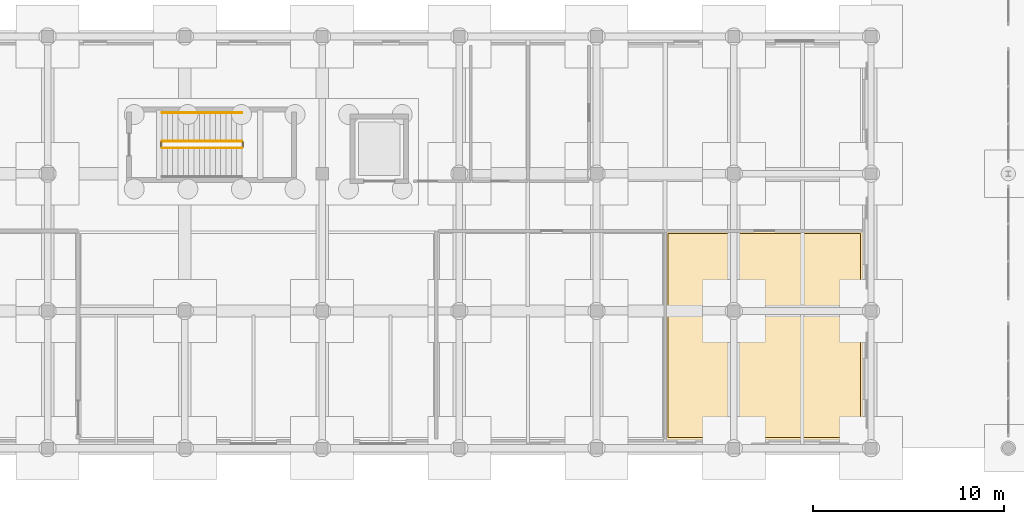
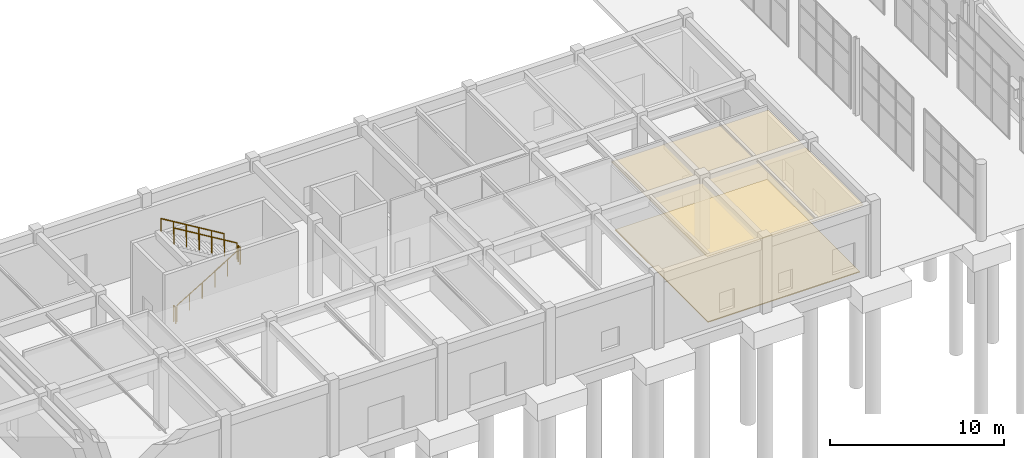
# One storey, part 83 of 91: 5 railings, 2 coverings.
"""IFC4 building model written with IfcOpenShell, lengths in metres."""

from ifc_helpers import new_model, si_unit, direction, frame, origin, origin_2d, place, context, subcontext, project, spatial, polyline, circle, outline, extrude, material, layer, layer_set, type_object, element, save


model = new_model("IFC4")

# Units and contexts
model_context = context("Model", 3, precision=1e-05, world=origin(), true_north=direction((0.0, 1.0)))
body_context = subcontext(model_context, "Body", "Model", "MODEL_VIEW")
ifc_project = project(units=[si_unit("LENGTHUNIT", "METRE"), si_unit("AREAUNIT", "SQUARE_METRE"), si_unit("VOLUMEUNIT", "CUBIC_METRE"), si_unit("PLANEANGLEUNIT", "RADIAN"), si_unit("MASSUNIT", "GRAM", prefix="KILO")], contexts=[model_context])

# Site, building, storey
site_placement = place(None, origin())
site = spatial("IfcSite", under=ifc_project, at=site_placement, CompositionType="ELEMENT")
building_placement = place(site_placement, origin())
building = spatial("IfcBuilding", under=site, at=building_placement, Name="Bramveld Media Centre", CompositionType="ELEMENT")
storey_placement = place(building_placement, origin())
storey = spatial("IfcBuildingStorey", under=building, at=storey_placement, Name="L00", CompositionType="ELEMENT", Elevation=0.0)

# Coverings
ifc_material_1 = material(Name="Perforated acoustic mineral-fibre & oak-slat suspended ceiling")
ifc_layer_1 = layer(ifc_material_1, 0.044921875)
ifc_layer_set_1 = layer_set([ifc_layer_1], Name="Perforated acoustic mineral-fibre & oak-slat suspended ceiling")
covering_type_1 = type_object("IfcCoveringType", Name="COV-CEIL-01", PredefinedType="CEILING", material=ifc_layer_set_1)
covering_1_placement = place(storey_placement, frame((0.0, 0.0, 4.7548828125)))
element("IfcCovering", 1, at=covering_1_placement, inside=storey, type_object=covering_type_1, Name="Street-Front Espresso Bar acoustic suspended ceiling", PredefinedType="CEILING", context=body_context, shape_type="SweptSolid", body=[
    extrude(outline(polyline([(98.0, 0.39990234375), (108.39990234375, 0.39990234375), (108.39990234375, 11.39990234375), (98.0, 11.39990234375), (98.0, 0.39990234375)])), origin(), (0.0, 0.0, 1.0), 0.045166015625),
])
ifc_material_2 = material(Name="Floating acoustic screed with smoked European oak studio flooring")
ifc_layer_2 = layer(ifc_material_2, 0.06494140625)
ifc_layer_set_2 = layer_set([ifc_layer_2], Name="Floating acoustic screed with smoked European oak studio flooring")
covering_type_2 = type_object("IfcCoveringType", Name="COV-FLOOR-01", PredefinedType="FLOORING", material=ifc_layer_set_2)
covering_2_placement = place(storey_placement, origin())
element("IfcCovering", 2, at=covering_2_placement, inside=storey, type_object=covering_type_2, Name="Street-Front Espresso Bar finish flooring", PredefinedType="FLOORING", context=body_context, shape_type="SweptSolid", body=[
    extrude(outline(polyline([(98.14990234375, 0.550048828125), (108.25, 0.550048828125), (108.25, 11.25), (98.14990234375, 11.25), (98.14990234375, 0.550048828125)])), origin(), (0.0, 0.0, 1.0), 0.06494140625),
])

# Railings
ifc_material_3 = material(Name="Painted galvanized steel stairwell guardrail", Category="steel")
railing_type_1 = type_object("IfcRailingType", Name="RAIL-STAIR-GUARD-1150", PredefinedType="GUARDRAIL", material=ifc_material_3)
railing_1_placement = place(storey_placement, frame((71.60009765625, 15.75, 0.168701171875)))
element("IfcRailing", 3, at=railing_1_placement, inside=storey, type_object=railing_type_1, Name="L00 ST-06 stair guard 1", PredefinedType="GUARDRAIL", context=body_context, shape_type="SweptSolid", body=[
    extrude(circle(Radius=0.02392578125, at=origin_2d()), frame((0.0, 0.0, 1.1259765625), z_axis=(0.856476492594, 0.0, 0.516186030065), x_axis=(0.0, 1.0, 0.0)), (0.0, 0.0, 1.0), 4.90380859375),
    extrude(circle(Radius=0.02099609375, at=origin_2d()), origin(), (0.0, 0.0, 1.0), 1.101806640625),
    extrude(circle(Radius=0.02099609375, at=origin_2d()), frame((0.840087890625, 0.0, 0.50634765625)), (0.0, 0.0, 1.0), 1.101806640625),
    extrude(circle(Radius=0.02099609375, at=origin_2d()), frame((1.679931640625, 0.0, 1.012451171875)), (0.0, 0.0, 1.0), 1.101806640625),
    extrude(circle(Radius=0.02099609375, at=origin_2d()), frame((2.52001953125, 0.0, 1.518798828125)), (0.0, 0.0, 1.0), 1.101806640625),
    extrude(circle(Radius=0.02099609375, at=origin_2d()), frame((3.35986328125, 0.0, 2.02490234375)), (0.0, 0.0, 1.0), 1.101806640625),
    extrude(circle(Radius=0.02099609375, at=origin_2d()), frame((4.199951171875, 0.0, 2.53125)), (0.0, 0.0, 1.0), 1.101806640625),
])
railing_2_placement = place(storey_placement, frame((75.85009765625, 15.800048828125, 2.699951171875)))
element("IfcRailing", 4, at=railing_2_placement, inside=storey, type_object=railing_type_1, Name="L00 ST-06 stair guard 2", PredefinedType="GUARDRAIL", context=body_context, shape_type="SweptSolid", body=[
    extrude(circle(Radius=0.02392578125, at=origin_2d()), frame((0.0, 0.0, 1.1259765625), z_axis=(0.0, 1.0, 0.0), x_axis=(-1.0, 0.0, 0.0)), (0.0, 0.0, 1.0), 0.25),
    extrude(circle(Radius=0.02099609375, at=origin_2d()), origin(), (0.0, 0.0, 1.0), 1.101806640625),
    extrude(circle(Radius=0.02099609375, at=origin_2d()), frame((0.0, 0.25, 0.0)), (0.0, 0.0, 1.0), 1.101806640625),
])
railing_3_placement = place(storey_placement, frame((75.800048828125, 16.10009765625, 2.86865234375)))
element("IfcRailing", 5, at=railing_3_placement, inside=storey, type_object=railing_type_1, Name="L00 ST-06 stair guard 3", PredefinedType="GUARDRAIL", context=body_context, shape_type="SweptSolid", body=[
    extrude(circle(Radius=0.02392578125, at=origin_2d()), frame((0.0, 0.0, 1.1259765625), z_axis=(-0.856476492594, 0.0, 0.516186030065), x_axis=(0.0, -1.0, 0.0)), (0.0, 0.0, 1.0), 4.90380859375),
    extrude(circle(Radius=0.02099609375, at=origin_2d()), origin(), (0.0, 0.0, 1.0), 1.101806640625),
    extrude(circle(Radius=0.02099609375, at=origin_2d()), frame((-0.840087890625, 0.0, 0.50634765625)), (0.0, 0.0, 1.0), 1.101806640625),
    extrude(circle(Radius=0.02099609375, at=origin_2d()), frame((-1.679931640625, 0.0, 1.012451171875)), (0.0, 0.0, 1.0), 1.101806640625),
    extrude(circle(Radius=0.02099609375, at=origin_2d()), frame((-2.52001953125, 0.0, 1.518798828125)), (0.0, 0.0, 1.0), 1.101806640625),
    extrude(circle(Radius=0.02099609375, at=origin_2d()), frame((-3.35986328125, 0.0, 2.02490234375)), (0.0, 0.0, 1.0), 1.101806640625),
    extrude(circle(Radius=0.02099609375, at=origin_2d()), frame((-4.199951171875, 0.0, 2.53125)), (0.0, 0.0, 1.0), 1.101806640625),
])
railing_4_placement = place(storey_placement, frame((71.550048828125, 15.800048828125, 0.0)))
element("IfcRailing", 6, at=railing_4_placement, inside=storey, type_object=railing_type_1, Name="L00 ST-06 stair guard 4", PredefinedType="GUARDRAIL", context=body_context, shape_type="SweptSolid", body=[
    extrude(circle(Radius=0.02392578125, at=origin_2d()), frame((0.0, 0.0, 1.1259765625), z_axis=(0.0, 1.0, 0.0), x_axis=(-1.0, 0.0, 0.0)), (0.0, 0.0, 1.0), 0.25),
    extrude(circle(Radius=0.02099609375, at=origin_2d()), origin(), (0.0, 0.0, 1.0), 1.101806640625),
    extrude(circle(Radius=0.02099609375, at=origin_2d()), frame((0.0, 0.25, 0.0)), (0.0, 0.0, 1.0), 1.101806640625),
])
ifc_material_4 = material(Name="Brushed stainless steel tubular stair handrail", Category="steel")
railing_type_2 = type_object("IfcRailingType", Name="RAIL-STAIR-HAND-0920", PredefinedType="HANDRAIL", material=ifc_material_4)
railing_5_placement = place(storey_placement, frame((75.800048828125, 17.60009765625, 2.86865234375)))
element("IfcRailing", 7, at=railing_5_placement, inside=storey, type_object=railing_type_2, Name="L00 ST-06 stair handrail 2", PredefinedType="HANDRAIL", context=body_context, shape_type="SweptSolid", body=[
    extrude(circle(Radius=0.02392578125, at=origin_2d()), frame((0.0, 0.0, 0.8759765625), z_axis=(-0.856476492594, 0.0, 0.516186030065), x_axis=(0.0, -1.0, 0.0)), (0.0, 0.0, 1.0), 4.90380859375),
    extrude(circle(Radius=0.02099609375, at=origin_2d()), origin(), (0.0, 0.0, 1.0), 0.851806640625),
    extrude(circle(Radius=0.02099609375, at=origin_2d()), frame((-0.840087890625, 0.0, 0.50634765625)), (0.0, 0.0, 1.0), 0.851806640625),
    extrude(circle(Radius=0.02099609375, at=origin_2d()), frame((-1.679931640625, 0.0, 1.012451171875)), (0.0, 0.0, 1.0), 0.851806640625),
    extrude(circle(Radius=0.02099609375, at=origin_2d()), frame((-2.52001953125, 0.0, 1.518798828125)), (0.0, 0.0, 1.0), 0.851806640625),
    extrude(circle(Radius=0.02099609375, at=origin_2d()), frame((-3.35986328125, 0.0, 2.02490234375)), (0.0, 0.0, 1.0), 0.851806640625),
    extrude(circle(Radius=0.02099609375, at=origin_2d()), frame((-4.199951171875, 0.0, 2.53125)), (0.0, 0.0, 1.0), 0.851806640625),
])

save(model, "model.ifc")
